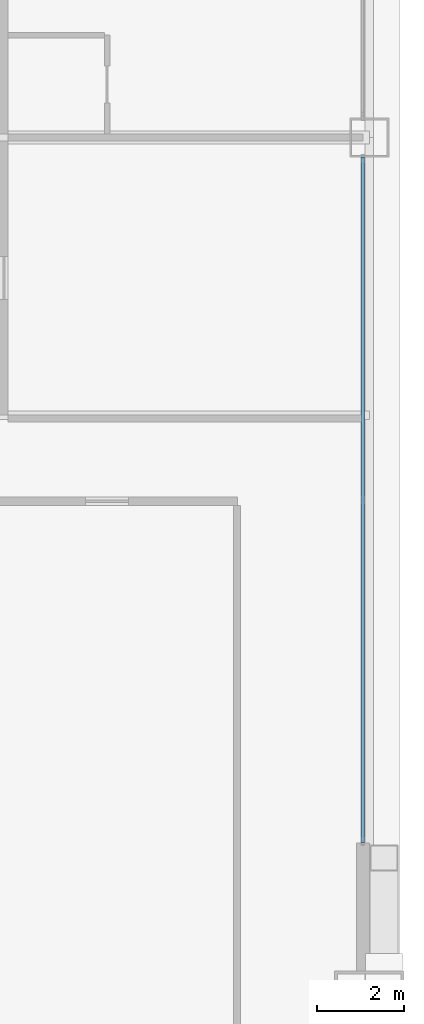
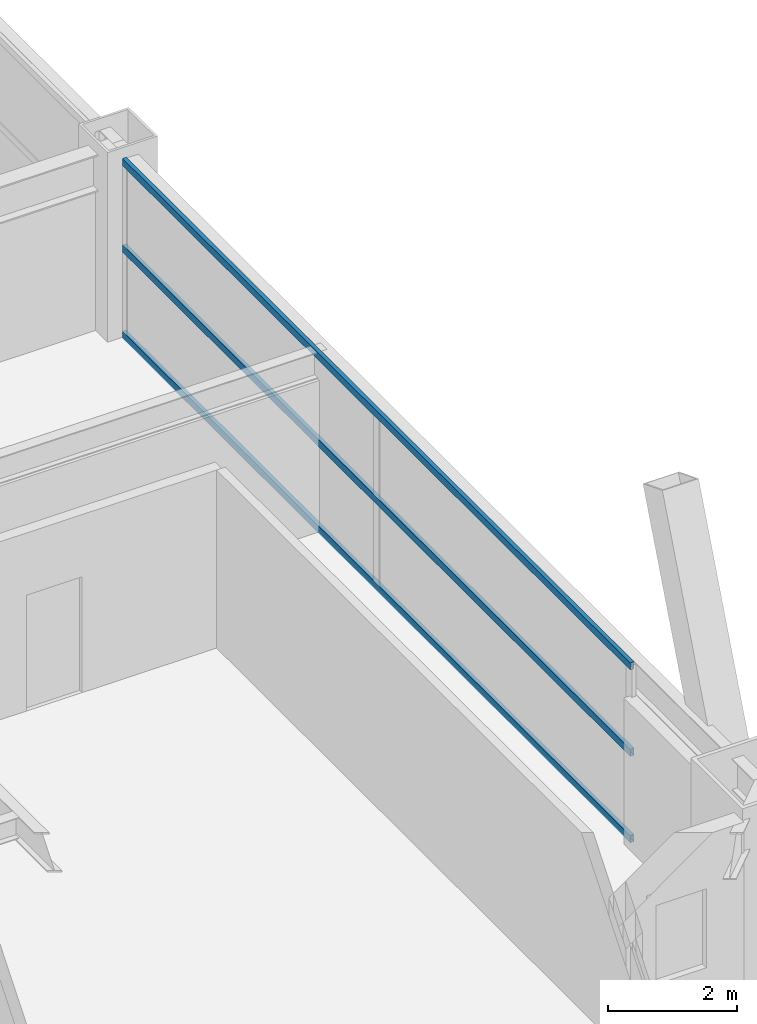
# One storey, part 20 of 42: 3 members, 1 element without a shape of its own.
"""IFC4 building model written with IfcOpenShell, lengths in metres."""

import ifcopenshell
import ifcopenshell.guid

model = None  # the IFC model being written
_history = None  # IfcOwnerHistory: only IFC2X3 demands one
_inside = {}  # id of a spatial element -> (the spatial element, [elements in it])
_under = {}  # id of a project, library or spatial element -> (it, [spatial elements below it])
_declared = {}  # id of a project -> (the project, [libraries it declares])
_typed = {}  # id of a type object -> (the type object, [elements of that type])
_made_of = {}  # id of a material, layer set ... -> (it, [elements and type objects made of it])


def new_model(schema):
    """Start an empty IFC model of exactly this schema.

    Asked for "IFC4X3", IfcOpenShell would pick the latest addendum, in which some entities
    have other attributes; the version numbers below select the first issue.
    IFC2X3 requires an IfcOwnerHistory on every rooted entity: one is made here for all.
    """
    global model, _history
    if schema == "IFC4X3":
        model = ifcopenshell.file(schema_version=(4, 3, 0, 0))
    else:
        model = ifcopenshell.file(schema=schema)
    _inside.clear()
    _under.clear()
    _declared.clear()
    _typed.clear()
    _made_of.clear()
    _history = None
    if model.schema == "IFC2X3":
        org = make("IfcOrganization", Name="unknown")
        user = make(
            "IfcPersonAndOrganization",
            ThePerson=make("IfcPerson", FamilyName="unknown"),
            TheOrganization=org,
        )
        app = make(
            "IfcApplication",
            ApplicationDeveloper=org,
            Version="unknown",
            ApplicationFullName="unknown",
            ApplicationIdentifier="unknown",
        )
        _history = make(
            "IfcOwnerHistory",
            OwningUser=user,
            OwningApplication=app,
            ChangeAction="ADDED",
            CreationDate=0,
        )
    return model


def make(cls, **values):
    """One entity of the class cls with the attributes given. An attribute that is None is left unset."""
    return model.create_entity(
        cls, **{name: value for name, value in values.items() if value is not None}
    )


def rooted(cls, **values):
    """An entity with a GlobalId (a new one), such as an element, a storey or a relation."""
    return make(cls, GlobalId=ifcopenshell.guid.new(), OwnerHistory=_history, **values)


def si_unit(unit_type, name, prefix=None):
    """IfcSIUnit, for example si_unit("LENGTHUNIT", "METRE", prefix="MILLI")."""
    return make("IfcSIUnit", UnitType=unit_type, Prefix=prefix, Name=name)


def assignment(units):
    """IfcUnitAssignment: the units of a project."""
    return None if units is None else make("IfcUnitAssignment", Units=units)


def point(xyz):
    """IfcCartesianPoint."""
    return None if xyz is None else make("IfcCartesianPoint", Coordinates=xyz)


def direction(xyz):
    """IfcDirection."""
    return None if xyz is None else make("IfcDirection", DirectionRatios=xyz)


def frame(location, z_axis=None, x_axis=None):
    """IfcAxis2Placement3D, a coordinate frame: its origin and axes. An axis left out is left unset."""
    return make(
        "IfcAxis2Placement3D",
        Location=point(location),
        Axis=direction(z_axis),
        RefDirection=direction(x_axis),
    )


def frame_2d(location, x_axis=None):
    """IfcAxis2Placement2D, a coordinate frame in the plane: its origin and x axis."""
    return make(
        "IfcAxis2Placement2D", Location=point(location), RefDirection=direction(x_axis)
    )


def origin():
    """The frame at (0, 0, 0) with its axes left unset."""
    return frame((0.0, 0.0, 0.0))


def origin_2d():
    """The frame at (0, 0) in the plane with its x axis left unset."""
    return frame_2d((0.0, 0.0))


def place(relative_to, where):
    """IfcLocalPlacement: puts the frame where relative to a parent placement (None: the world)."""
    return make(
        "IfcLocalPlacement", PlacementRelTo=relative_to, RelativePlacement=where
    )


def context(
    kind, dimensions, precision=None, world=None, true_north=None, identifier=None
):
    """IfcGeometricRepresentationContext, for example the 3D "Model" context."""
    return make(
        "IfcGeometricRepresentationContext",
        ContextIdentifier=identifier,
        ContextType=kind,
        CoordinateSpaceDimension=dimensions,
        Precision=precision,
        WorldCoordinateSystem=world,
        TrueNorth=true_north,
    )


def subcontext(parent, identifier, kind, view, scale=None):
    """IfcGeometricRepresentationSubContext, for example "Body" below "Model"."""
    return make(
        "IfcGeometricRepresentationSubContext",
        ContextIdentifier=identifier,
        ContextType=kind,
        ParentContext=parent,
        TargetScale=scale,
        TargetView=view,
    )


def project(units=None, contexts=None):
    """IfcProject with its units and contexts."""
    return rooted(
        "IfcProject",
        Name="project",
        RepresentationContexts=contexts,
        UnitsInContext=assignment(units),
    )


def spatial(cls, under=None, at=None, **own):
    """A site, building, storey or space (cls), placed at a placement, below another one or the project."""
    s = rooted(cls, ObjectPlacement=at, **own)
    if under is not None:
        _under.setdefault(under.id(), (under, []))[1].append(s)
    return s


def profile(cls, at=None, kind="AREA", **sizes):
    """A parametric profile (cls). Its sizes go by their IFC names, for example OverallWidth=200.0."""
    return make(cls, ProfileType=kind, Position=at, **sizes)


def hollow_rectangle(**sizes):
    """IfcRectangleHollowProfileDef."""
    return profile("IfcRectangleHollowProfileDef", **sizes)


def extrude(swept, where, along, depth):
    """IfcExtrudedAreaSolid: the profile swept, set in the frame where, extruded along a direction by depth."""
    return make(
        "IfcExtrudedAreaSolid",
        SweptArea=swept,
        Position=where,
        ExtrudedDirection=direction(along),
        Depth=depth,
    )


def shape(context_of_items, identifier, shape_type, items):
    """IfcShapeRepresentation: the items that make up one representation, for example the "Body"."""
    return make(
        "IfcShapeRepresentation",
        ContextOfItems=context_of_items,
        RepresentationIdentifier=identifier,
        RepresentationType=shape_type,
        Items=items,
    )


def source(mapping_origin, context_of_items, identifier, shape_type, items):
    """IfcRepresentationMap: a shape defined once, which mapped items show again and again."""
    return make(
        "IfcRepresentationMap",
        MappingOrigin=mapping_origin,
        MappedRepresentation=shape(context_of_items, identifier, shape_type, items),
    )


def transform(
    local_origin,
    x_axis=None,
    y_axis=None,
    z_axis=None,
    scale=None,
    scale2=None,
    scale3=None,
    uniform=True,
):
    """IfcCartesianTransformationOperator3D, or its non-uniform kind. x_axis, y_axis, z_axis: its Axis1, 2, 3."""
    if uniform:
        return make(
            "IfcCartesianTransformationOperator3D",
            Axis1=direction(x_axis),
            Axis2=direction(y_axis),
            LocalOrigin=point(local_origin),
            Scale=scale,
            Axis3=direction(z_axis),
        )
    return make(
        "IfcCartesianTransformationOperator3DnonUniform",
        Axis1=direction(x_axis),
        Axis2=direction(y_axis),
        LocalOrigin=point(local_origin),
        Scale=scale,
        Axis3=direction(z_axis),
        Scale2=scale2,
        Scale3=scale3,
    )


def mapped(mapping_source, mapping_target):
    """IfcMappedItem: shows the shape of a source again, moved by a transform."""
    return make(
        "IfcMappedItem", MappingSource=mapping_source, MappingTarget=mapping_target
    )


def material(Name=None, Category=None):
    """IfcMaterial."""
    return make("IfcMaterial", Name=Name, Category=Category)


def layer(
    of_material, thickness, ventilated=None, Name=None, Category=None, Priority=None
):
    """IfcMaterialLayer: one layer of a wall or slab, of a material (None: an air gap)."""
    return make(
        "IfcMaterialLayer",
        Material=of_material,
        LayerThickness=thickness,
        IsVentilated=ventilated,
        Name=Name,
        Category=Category,
        Priority=Priority,
    )


def layer_set(layers, Name=None):
    """IfcMaterialLayerSet."""
    return make("IfcMaterialLayerSet", MaterialLayers=layers, LayerSetName=Name)


def material_profile(
    of_material, cross_section, Name=None, Category=None, Priority=None
):
    """IfcMaterialProfile: a cross section and its material."""
    return make(
        "IfcMaterialProfile",
        Name=Name,
        Material=of_material,
        Profile=cross_section,
        Priority=Priority,
        Category=Category,
    )


def profile_set(profiles, Name=None, composite=None):
    """IfcMaterialProfileSet."""
    return make(
        "IfcMaterialProfileSet",
        Name=Name,
        MaterialProfiles=profiles,
        CompositeProfile=composite,
    )


def made_of(thing, what):
    """Note that an element or type object is made of a material, layer set ...; save() writes the relation."""
    if what is not None:
        _made_of.setdefault(what.id(), (what, []))[1].append(thing)
    return thing


def type_object(cls, material=None, **own):
    """A type object (cls), such as IfcWallType, which elements share."""
    return made_of(rooted(cls, **own), material)


def element(
    cls,
    number,
    at=None,
    inside=None,
    cuts=None,
    type_object=None,
    material=None,
    context=None,
    identifier="Body",
    shape_type=None,
    held_by="IfcProductDefinitionShape",
    body=None,
    shapes=None,
    **own,
):
    """One element of the class cls, such as IfcWall. Its Tag is "e" and its number.

    at: its placement. inside: the storey or other place that contains it. cuts: it is an
    opening in that element (IfcRelVoidsElement). A single representation is given by context,
    identifier, shape_type and body (its items); several are given by shapes. held_by: the class
    of the entity that holds the representations. save() writes the other relations.
    """
    e = rooted(cls, Tag="e%d" % number, ObjectPlacement=at, **own)
    if body is not None:
        shapes = [shape(context, identifier, shape_type, body)]
    if shapes is not None:
        e.Representation = make(held_by, Representations=shapes)
    if inside is not None:
        _inside.setdefault(inside.id(), (inside, []))[1].append(e)
    if cuts is not None:
        rooted(
            "IfcRelVoidsElement", RelatingBuildingElement=cuts, RelatedOpeningElement=e
        )
    if type_object is not None:
        _typed.setdefault(type_object.id(), (type_object, []))[1].append(e)
    return made_of(e, material)


def aggregate(whole, parts):
    """IfcRelAggregates: a whole, such as a stair, and the parts it consists of."""
    return rooted("IfcRelAggregates", RelatingObject=whole, RelatedObjects=parts)


def save(model, path):
    """Write the relations noted so far, then the file.

    IfcRelAggregates (storeys below a building ...), IfcRelContainedInSpatialStructure (elements
    in a storey), IfcRelDefinesByType, IfcRelAssociatesMaterial and IfcRelDeclares: one each for
    every whole, place, type object, material and project.
    """
    for whole, parts in _under.values():
        aggregate(whole, parts)
    for where, things in _inside.values():
        rooted(
            "IfcRelContainedInSpatialStructure",
            RelatedElements=things,
            RelatingStructure=where,
        )
    for kind, things in _typed.values():
        rooted("IfcRelDefinesByType", RelatedObjects=things, RelatingType=kind)
    for what, things in _made_of.values():
        rooted("IfcRelAssociatesMaterial", RelatedObjects=things, RelatingMaterial=what)
    for by, libraries in _declared.values():
        rooted("IfcRelDeclares", RelatingContext=by, RelatedDefinitions=libraries)
    model.write(path)


model = new_model("IFC4")

# Units and contexts
model_context = context("Model", 3, precision=1e-05, world=origin(), true_north=direction((0.0, 1.0)))
body_context = subcontext(model_context, "Body", "Model", "MODEL_VIEW")
ifc_project = project(units=[si_unit("LENGTHUNIT", "METRE"), si_unit("AREAUNIT", "SQUARE_METRE"), si_unit("VOLUMEUNIT", "CUBIC_METRE"), si_unit("PLANEANGLEUNIT", "RADIAN"), si_unit("MASSUNIT", "GRAM", prefix="KILO"), si_unit("THERMODYNAMICTEMPERATUREUNIT", "KELVIN"), si_unit("POWERUNIT", "WATT")], contexts=[model_context])

# Site, building, storey
site_placement = place(None, origin())
site = spatial("IfcSite", under=ifc_project, at=site_placement, CompositionType="ELEMENT")
building_placement = place(site_placement, origin())
building = spatial("IfcBuilding", under=site, at=building_placement, Name="Yuzanri Waterfront Tower", CompositionType="ELEMENT")
storey_placement = place(building_placement, frame((0.0, 0.0, 145.199951171875)))
storey = spatial("IfcBuildingStorey", under=building, at=storey_placement, Name="L38", CompositionType="ELEMENT", Elevation=145.199951171875)

# Curtain wall, members
ifc_material_1 = material(Name="Anodized Architectural Bronze", Category="metal")
ifc_layer = layer(ifc_material_1, 0.159912109375)
ifc_layer_set = layer_set([ifc_layer], Name="Anodized Architectural Bronze")
curtain_wall_type = type_object("IfcCurtainWallType", Name="Anodized Bronze Hotel Upper-Tier Solar-Control Unitized Curtain Wall 7800", PredefinedType="NOTDEFINED", material=ifc_layer_set)
curtain_wall_placement = place(storey_placement, origin())
curtain_wall = element("IfcCurtainWall", 1, at=curtain_wall_placement, inside=storey, type_object=curtain_wall_type, Name="L38 Curtain Wall CW-L38-EL", PredefinedType="NOTDEFINED")
ifc_material_2 = material(Name="Anodized Architectural Bronze", Category="metal")
ifc_material_profile = material_profile(ifc_material_2, hollow_rectangle(XDim=0.070068359375, YDim=0.135009765625, WallThickness=0.00341796875, at=origin_2d()), Name="CWT 70x135")
ifc_profile_set = profile_set([ifc_material_profile], Name="Anodized Architectural Bronze")
member_type = type_object("IfcMemberType", Name="Anodized Bronze Standard Curtain-Wall Transom 70x135", PredefinedType="USERDEFINED", material=ifc_profile_set)
shared_shape = source(origin(), body_context, "Body", "SweptSolid", [
    extrude(hollow_rectangle(XDim=0.070068359375, YDim=0.135009765625, WallThickness=0.00341796875, at=origin_2d()), origin(), (0.0, 0.0, 1.0), 15.800048828125),
])
member_1_placement = place(storey_placement, frame((60.449951171875, 9.550048828125, 0.050048828125), z_axis=(0.0, 1.0, 0.0), x_axis=(-1.0, 0.0, 0.0)))
member_1 = element("IfcMember", 2, at=member_1_placement, type_object=member_type, Name="CW-L38-EL Transom 1", ObjectType="TRANSOM", PredefinedType="USERDEFINED", context=body_context, shape_type="MappedRepresentation", body=[
    mapped(shared_shape, transform((0.0, 0.0, 0.0), scale=1.0)),
])
member_2_placement = place(storey_placement, frame((60.449951171875, 9.550048828125, 1.68994140625), z_axis=(0.0, 1.0, 0.0), x_axis=(-1.0, 0.0, 0.0)))
member_2 = element("IfcMember", 3, at=member_2_placement, type_object=member_type, Name="CW-L38-EL Transom 2", ObjectType="TRANSOM", PredefinedType="USERDEFINED", context=body_context, shape_type="MappedRepresentation", body=[
    mapped(shared_shape, transform((0.0, 0.0, 0.0), scale=1.0)),
])
member_3_placement = place(storey_placement, frame((60.449951171875, 9.550048828125, 3.330078125), z_axis=(0.0, 1.0, 0.0), x_axis=(-1.0, 0.0, 0.0)))
member_3 = element("IfcMember", 4, at=member_3_placement, type_object=member_type, Name="CW-L38-EL Transom 3", ObjectType="TRANSOM", PredefinedType="USERDEFINED", context=body_context, shape_type="MappedRepresentation", body=[
    mapped(shared_shape, transform((0.0, 0.0, 0.0), scale=1.0)),
])
aggregate(curtain_wall, [member_1, member_2, member_3])

save(model, "model.ifc")
